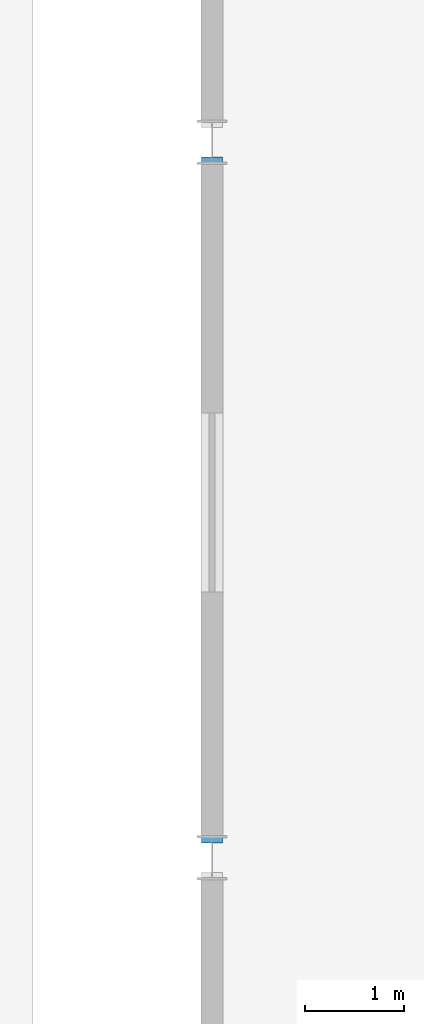
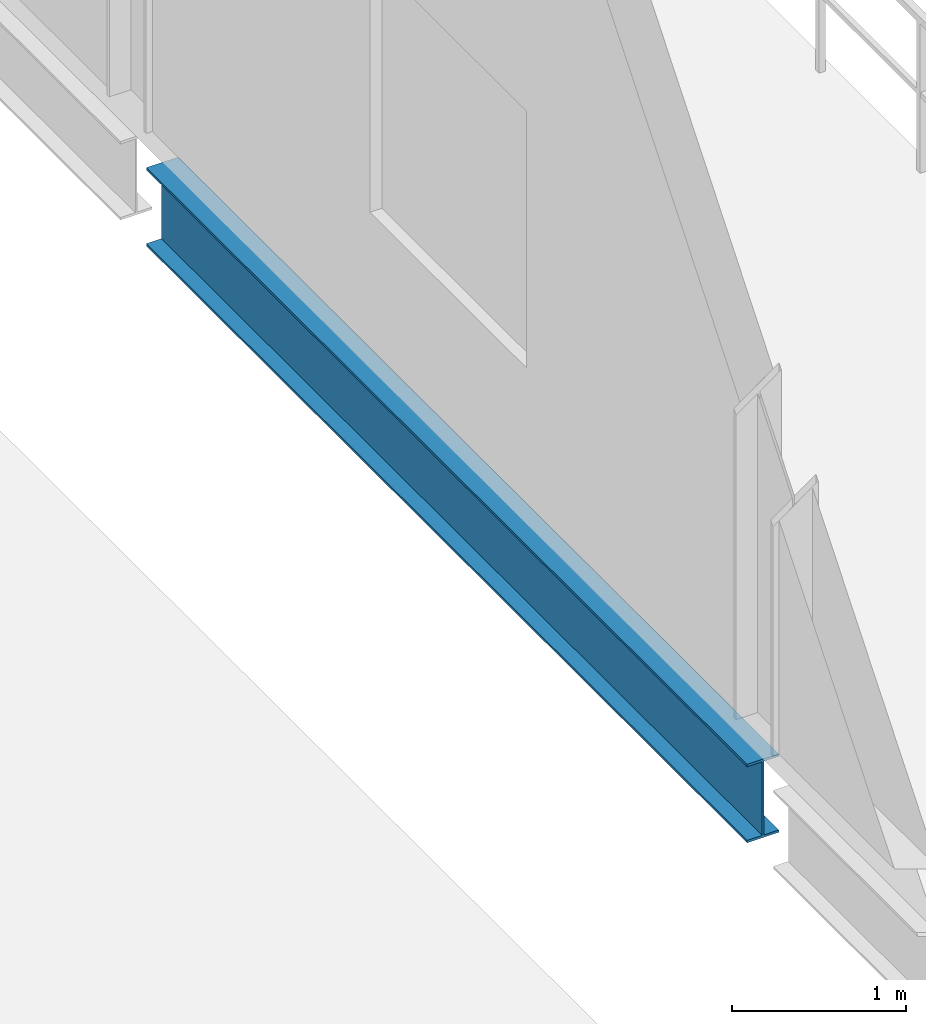
# One storey, part 22 of 110: 1 beam.
"""IFC4 building model written with IfcOpenShell, lengths in metres."""

from ifc_helpers import new_model, si_unit, direction, frame, origin, origin_2d, place, context, subcontext, project, spatial, i_section, extrude, material, material_profile, profile_set, type_object, element, save


model = new_model("IFC4")

# Units and contexts
model_context = context("Model", 3, precision=1e-05, world=origin(), true_north=direction((0.0, 1.0)))
body_context = subcontext(model_context, "Body", "Model", "MODEL_VIEW")
ifc_project = project(units=[si_unit("LENGTHUNIT", "METRE"), si_unit("AREAUNIT", "SQUARE_METRE"), si_unit("VOLUMEUNIT", "CUBIC_METRE"), si_unit("PLANEANGLEUNIT", "RADIAN"), si_unit("MASSUNIT", "GRAM", prefix="KILO")], contexts=[model_context])

# Site, building, storey
site_placement = place(None, origin())
site = spatial("IfcSite", under=ifc_project, at=site_placement, CompositionType="ELEMENT")
building_placement = place(site_placement, origin())
building = spatial("IfcBuilding", under=site, at=building_placement, Name="Suanplinth Sawtooth Commons", CompositionType="ELEMENT")
storey_placement = place(building_placement, frame((0.0, 0.0, 4.5)))
storey = spatial("IfcBuildingStorey", under=building, at=storey_placement, Name="L01", CompositionType="ELEMENT", Elevation=4.5)

# Beam
ifc_material = material(Name="Steel S355JR", Category="steel")
ifc_material_profile = material_profile(ifc_material, i_section(OverallWidth=0.2099609375, OverallDepth=0.550048828125, WebThickness=0.010986328125, FlangeThickness=0.01708984375, at=origin_2d()), Name="IPE 550")
ifc_profile_set = profile_set([ifc_material_profile], Name="Steel S355JR")
beam_type = type_object("IfcBeamType", Name="B-10", PredefinedType="USERDEFINED", material=ifc_profile_set)
beam_placement = place(storey_placement, frame((64.800048828125, 57.75, -0.574951171875), z_axis=(0.0, 1.0, 0.0), x_axis=(-1.0, 0.0, 0.0)))
element("IfcBeam", 1, at=beam_placement, inside=storey, type_object=beam_type, Name="BMY-L01-HALL-9-8", ObjectType="GIRDER", PredefinedType="USERDEFINED", context=body_context, shape_type="SweptSolid", body=[
    extrude(i_section(OverallWidth=0.2099609375, OverallDepth=0.550048828125, WebThickness=0.010986328125, FlangeThickness=0.01708984375, at=origin_2d()), origin(), (0.0, 0.0, 1.0), 6.89990234375),
])

save(model, "model.ifc")
